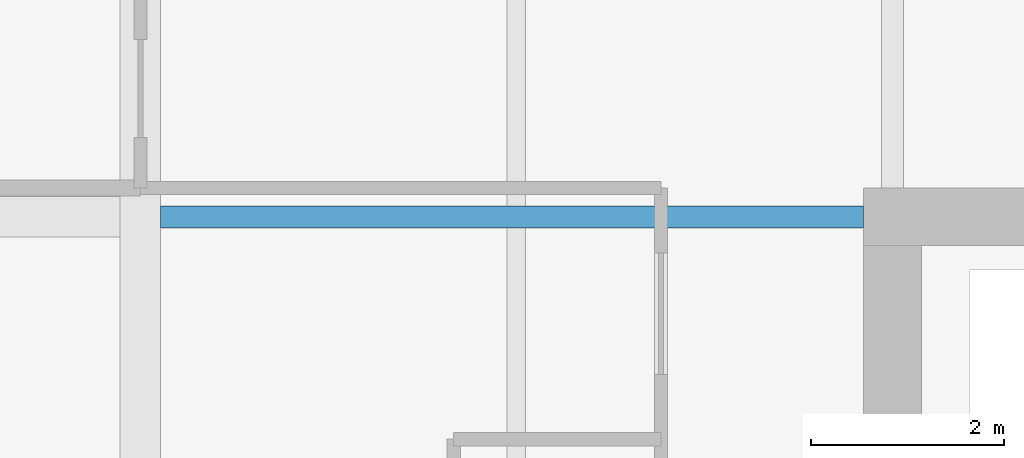
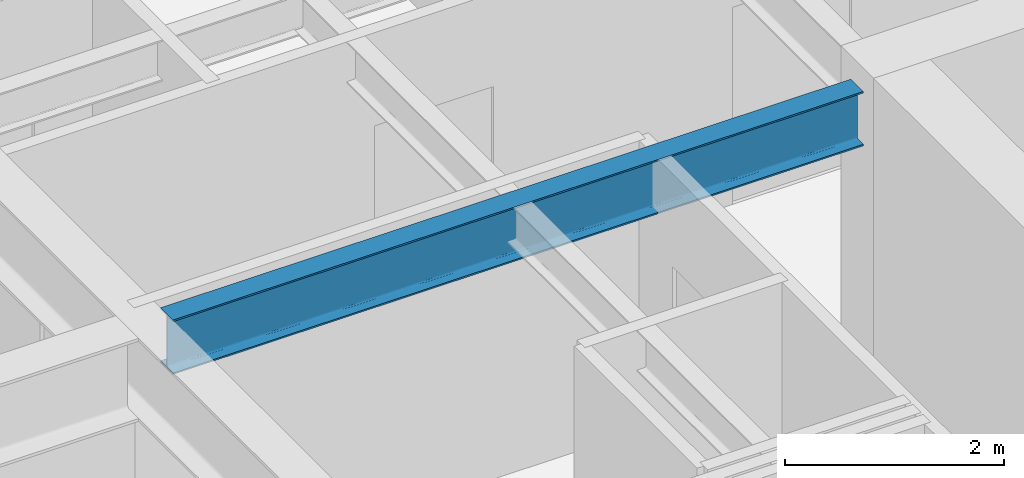
# One storey, part 18 of 39: 1 beam.
"""IFC4 building model written with IfcOpenShell, lengths in metres."""

from ifc_helpers import new_model, si_unit, direction, frame, origin, origin_2d, place, context, subcontext, project, spatial, i_section, extrude, material, material_profile, profile_set, type_object, element, save


model = new_model("IFC4")

# Units and contexts
model_context = context("Model", 3, precision=1e-05, world=origin(), true_north=direction((0.0, 1.0)))
body_context = subcontext(model_context, "Body", "Model", "MODEL_VIEW")
ifc_project = project(units=[si_unit("LENGTHUNIT", "METRE"), si_unit("AREAUNIT", "SQUARE_METRE"), si_unit("VOLUMEUNIT", "CUBIC_METRE"), si_unit("PLANEANGLEUNIT", "RADIAN"), si_unit("MASSUNIT", "GRAM", prefix="KILO")], contexts=[model_context])

# Site, building, storey
site_placement = place(None, origin())
site = spatial("IfcSite", under=ifc_project, at=site_placement, CompositionType="ELEMENT")
building_placement = place(site_placement, origin())
building = spatial("IfcBuilding", under=site, at=building_placement, Name="Drelvath Grand Hotel", CompositionType="ELEMENT")
storey_placement = place(building_placement, frame((0.0, 0.0, 54.199951171875)))
storey = spatial("IfcBuildingStorey", under=building, at=storey_placement, Name="L12", CompositionType="ELEMENT", Elevation=54.199951171875)

# Beam
ifc_material = material(Name="Steel ASTM A992 Gr 50", Category="steel")
ifc_material_profile = material_profile(ifc_material, i_section(OverallWidth=0.228271484375, OverallDepth=0.607666015625, WebThickness=0.01123046875, FlangeThickness=0.017333984375, FilletRadius=0.02001953125, at=origin_2d()), Name="W24X76")
ifc_profile_set = profile_set([ifc_material_profile], Name="Steel ASTM A992 Gr 50")
beam_type = type_object("IfcBeamType", Name="Primary Floor Girder W24X76", PredefinedType="BEAM", material=ifc_profile_set)
beam_placement = place(storey_placement, frame((-15.99072265625, 35.39990234375, 2.936279296875), z_axis=(1.0, 0.0, 0.0), x_axis=(0.0, 1.0, 0.0)))
element("IfcBeam", 1, at=beam_placement, inside=storey, type_object=beam_type, Name="L12 West Core Tie F", PredefinedType="BEAM", context=body_context, shape_type="SweptSolid", body=[
    extrude(i_section(OverallWidth=0.228271484375, OverallDepth=0.607666015625, WebThickness=0.01123046875, FlangeThickness=0.017333984375, FilletRadius=0.02001953125, at=origin_2d()), origin(), (0.0, 0.0, 1.0), 7.290771484375),
])

save(model, "model.ifc")
